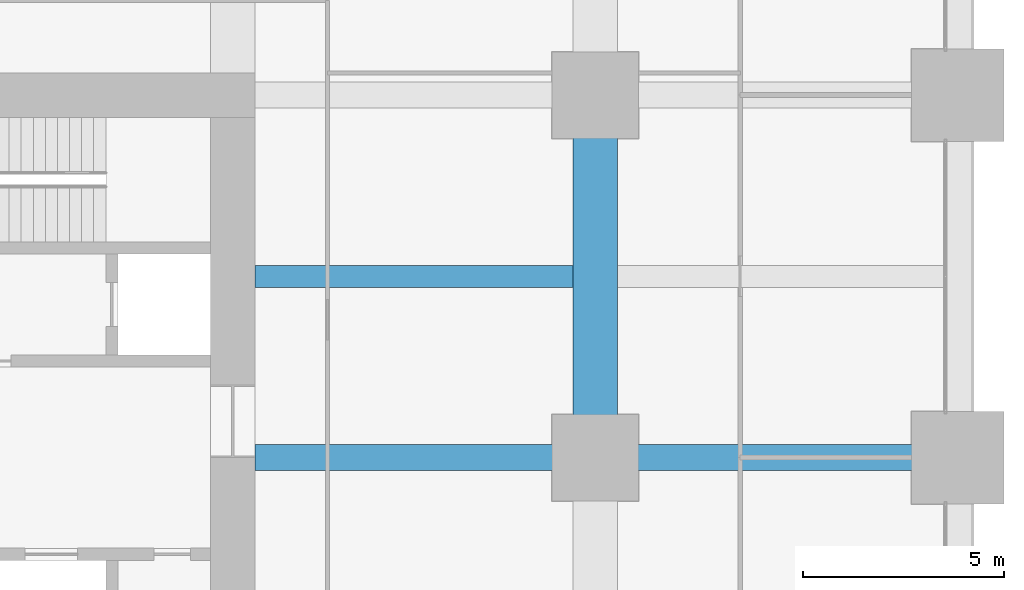
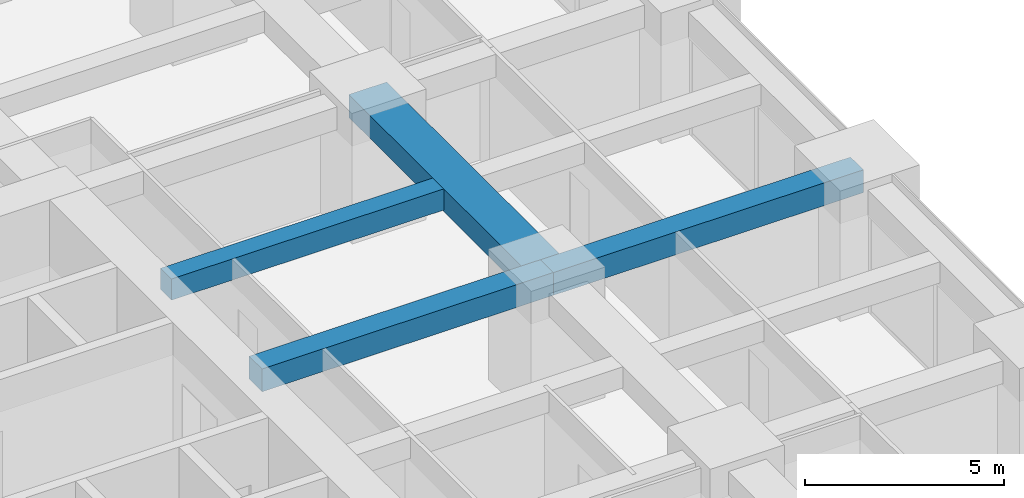
# One storey, part 21 of 44: 4 beams.
"""IFC4 building model written with IfcOpenShell, lengths in metres."""

from ifc_helpers import new_model, si_unit, direction, frame, origin, origin_2d, place, context, subcontext, project, spatial, rectangle, extrude, material, material_profile, profile_set, type_object, element, save


model = new_model("IFC4")

# Units and contexts
model_context = context("Model", 3, precision=1e-05, world=origin(), true_north=direction((0.0, 1.0)))
body_context = subcontext(model_context, "Body", "Model", "MODEL_VIEW")
ifc_project = project(units=[si_unit("LENGTHUNIT", "METRE"), si_unit("AREAUNIT", "SQUARE_METRE"), si_unit("VOLUMEUNIT", "CUBIC_METRE"), si_unit("PLANEANGLEUNIT", "RADIAN"), si_unit("MASSUNIT", "GRAM", prefix="KILO")], contexts=[model_context])

# Site, building, storey
site_placement = place(None, origin())
site = spatial("IfcSite", under=ifc_project, at=site_placement, CompositionType="ELEMENT")
building_placement = place(site_placement, origin())
building = spatial("IfcBuilding", under=site, at=building_placement, Name="Zorevar Civic Tower", CompositionType="ELEMENT")
storey_placement = place(building_placement, frame((0.0, 0.0, 55.800048828125)))
storey = spatial("IfcBuildingStorey", under=building, at=storey_placement, Name="L13", CompositionType="ELEMENT", Elevation=55.800048828125)

# Beams
ifc_material_1 = material(Name="Concrete C50/60", Category="concrete")
ifc_material_profile_1 = material_profile(ifc_material_1, rectangle(XDim=1.10009765625, YDim=0.699951171875, at=origin_2d()), Name="RC 1100x700")
ifc_profile_set_1 = profile_set([ifc_material_profile_1], Name="Concrete C50/60")
beam_type_1 = type_object("IfcBeamType", Name="Beam RC 1100x700", PredefinedType="BEAM", material=ifc_profile_set_1)
beam_1_placement = place(storey_placement, frame((54.0, 27.0, 3.39990234375), z_axis=(0.0, 1.0, 0.0), x_axis=(-1.0, 0.0, 0.0)))
element("IfcBeam", 1, at=beam_1_placement, inside=storey, type_object=beam_type_1, Name="Girder L14", PredefinedType="BEAM", context=body_context, shape_type="SweptSolid", body=[
    extrude(rectangle(XDim=1.10009765625, YDim=0.699951171875, at=origin_2d()), origin(), (0.0, 0.0, 1.0), 9.0),
])
ifc_material_2 = material(Name="Concrete C50/60", Category="concrete")
ifc_material_profile_2 = material_profile(ifc_material_2, rectangle(XDim=0.550048828125, YDim=0.64990234375, at=origin_2d()), Name="RC 550x650")
ifc_profile_set_2 = profile_set([ifc_material_profile_2], Name="Concrete C50/60")
beam_type_2 = type_object("IfcBeamType", Name="Beam RC 550x650", PredefinedType="BEAM", material=ifc_profile_set_2)
beam_2_placement = place(storey_placement, frame((45.550048828125, 31.5, 3.425048828125), z_axis=(1.0, 0.0, 0.0), x_axis=(0.0, 1.0, 0.0)))
element("IfcBeam", 2, at=beam_2_placement, inside=storey, type_object=beam_type_2, Name="Secondary beam L14", PredefinedType="BEAM", context=body_context, shape_type="SweptSolid", body=[
    extrude(rectangle(XDim=0.550048828125, YDim=0.64990234375, at=origin_2d()), origin(), (0.0, 0.0, 1.0), 7.89990234375),
])
ifc_material_3 = material(Name="Concrete C50/60", Category="concrete")
ifc_material_profile_3 = material_profile(ifc_material_3, rectangle(XDim=0.64990234375, YDim=0.699951171875, at=origin_2d()), Name="RC 650x700")
ifc_profile_set_3 = profile_set([ifc_material_profile_3], Name="Concrete C50/60")
beam_type_3 = type_object("IfcBeamType", Name="Beam RC 650x700", PredefinedType="BEAM", material=ifc_profile_set_3)
beam_3_placement = place(storey_placement, frame((45.550048828125, 27.0, 3.39990234375), z_axis=(1.0, 0.0, 0.0), x_axis=(0.0, 1.0, 0.0)))
element("IfcBeam", 3, at=beam_3_placement, inside=storey, type_object=beam_type_3, Name="Girder L14", PredefinedType="BEAM", context=body_context, shape_type="SweptSolid", body=[
    extrude(rectangle(XDim=0.64990234375, YDim=0.699951171875, at=origin_2d()), origin(), (0.0, 0.0, 1.0), 8.449951171875),
])
beam_4_placement = place(storey_placement, frame((54.0, 27.0, 3.39990234375), z_axis=(1.0, 0.0, 0.0), x_axis=(0.0, 1.0, 0.0)))
element("IfcBeam", 4, at=beam_4_placement, inside=storey, type_object=beam_type_3, Name="Girder L14", PredefinedType="BEAM", context=body_context, shape_type="SweptSolid", body=[
    extrude(rectangle(XDim=0.64990234375, YDim=0.699951171875, at=origin_2d()), origin(), (0.0, 0.0, 1.0), 9.0),
])

save(model, "model.ifc")
